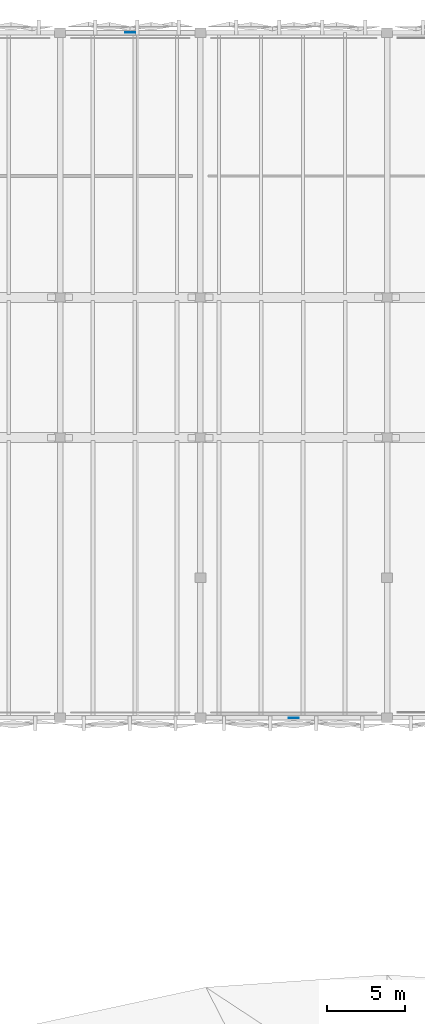
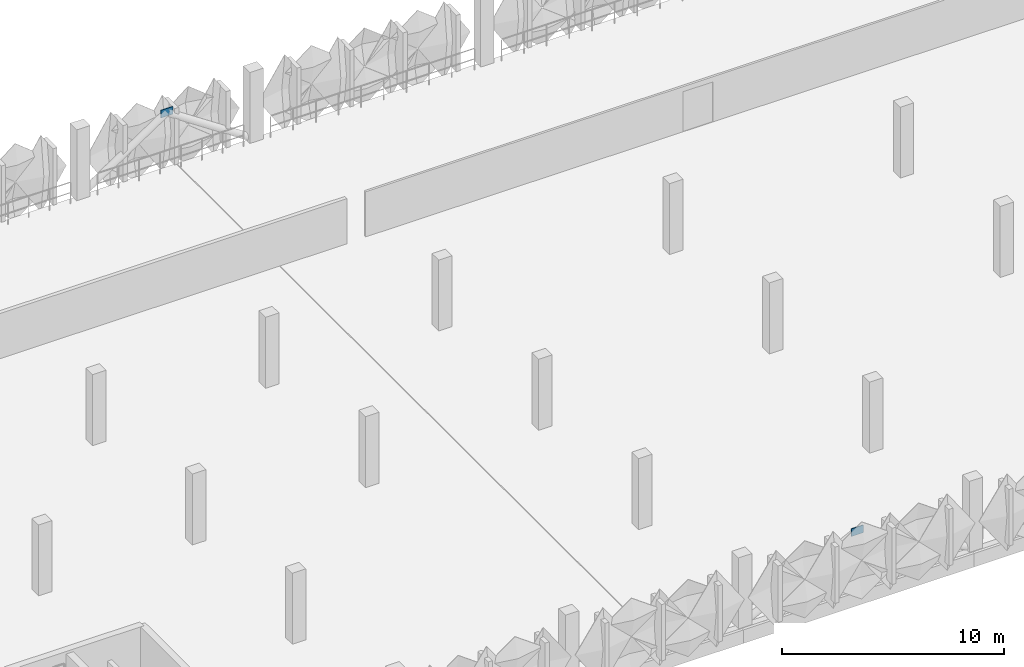
# One storey, part 25 of 52: 2 plates.
"""IFC4 building model written with IfcOpenShell, lengths in metres."""

import ifcopenshell
import ifcopenshell.guid

model = None  # the IFC model being written
_history = None  # IfcOwnerHistory: only IFC2X3 demands one
_inside = {}  # id of a spatial element -> (the spatial element, [elements in it])
_under = {}  # id of a project, library or spatial element -> (it, [spatial elements below it])
_declared = {}  # id of a project -> (the project, [libraries it declares])
_typed = {}  # id of a type object -> (the type object, [elements of that type])
_made_of = {}  # id of a material, layer set ... -> (it, [elements and type objects made of it])


def new_model(schema):
    """Start an empty IFC model of exactly this schema.

    Asked for "IFC4X3", IfcOpenShell would pick the latest addendum, in which some entities
    have other attributes; the version numbers below select the first issue.
    IFC2X3 requires an IfcOwnerHistory on every rooted entity: one is made here for all.
    """
    global model, _history
    if schema == "IFC4X3":
        model = ifcopenshell.file(schema_version=(4, 3, 0, 0))
    else:
        model = ifcopenshell.file(schema=schema)
    _inside.clear()
    _under.clear()
    _declared.clear()
    _typed.clear()
    _made_of.clear()
    _history = None
    if model.schema == "IFC2X3":
        org = make("IfcOrganization", Name="unknown")
        user = make(
            "IfcPersonAndOrganization",
            ThePerson=make("IfcPerson", FamilyName="unknown"),
            TheOrganization=org,
        )
        app = make(
            "IfcApplication",
            ApplicationDeveloper=org,
            Version="unknown",
            ApplicationFullName="unknown",
            ApplicationIdentifier="unknown",
        )
        _history = make(
            "IfcOwnerHistory",
            OwningUser=user,
            OwningApplication=app,
            ChangeAction="ADDED",
            CreationDate=0,
        )
    return model


def make(cls, **values):
    """One entity of the class cls with the attributes given. An attribute that is None is left unset."""
    return model.create_entity(
        cls, **{name: value for name, value in values.items() if value is not None}
    )


def rooted(cls, **values):
    """An entity with a GlobalId (a new one), such as an element, a storey or a relation."""
    return make(cls, GlobalId=ifcopenshell.guid.new(), OwnerHistory=_history, **values)


def si_unit(unit_type, name, prefix=None):
    """IfcSIUnit, for example si_unit("LENGTHUNIT", "METRE", prefix="MILLI")."""
    return make("IfcSIUnit", UnitType=unit_type, Prefix=prefix, Name=name)


def derived_unit(unit_type, elements):
    """IfcDerivedUnit: a product of units, each with its exponent."""
    return make(
        "IfcDerivedUnit",
        Elements=[
            make("IfcDerivedUnitElement", Unit=unit, Exponent=power)
            for unit, power in elements
        ],
        UnitType=unit_type,
    )


def assignment(units):
    """IfcUnitAssignment: the units of a project."""
    return None if units is None else make("IfcUnitAssignment", Units=units)


def point(xyz):
    """IfcCartesianPoint."""
    return None if xyz is None else make("IfcCartesianPoint", Coordinates=xyz)


def direction(xyz):
    """IfcDirection."""
    return None if xyz is None else make("IfcDirection", DirectionRatios=xyz)


def frame(location, z_axis=None, x_axis=None):
    """IfcAxis2Placement3D, a coordinate frame: its origin and axes. An axis left out is left unset."""
    return make(
        "IfcAxis2Placement3D",
        Location=point(location),
        Axis=direction(z_axis),
        RefDirection=direction(x_axis),
    )


def frame_2d(location, x_axis=None):
    """IfcAxis2Placement2D, a coordinate frame in the plane: its origin and x axis."""
    return make(
        "IfcAxis2Placement2D", Location=point(location), RefDirection=direction(x_axis)
    )


def origin():
    """The frame at (0, 0, 0) with its axes left unset."""
    return frame((0.0, 0.0, 0.0))


def origin_2d():
    """The frame at (0, 0) in the plane with its x axis left unset."""
    return frame_2d((0.0, 0.0))


def place(relative_to, where):
    """IfcLocalPlacement: puts the frame where relative to a parent placement (None: the world)."""
    return make(
        "IfcLocalPlacement", PlacementRelTo=relative_to, RelativePlacement=where
    )


def context(
    kind, dimensions, precision=None, world=None, true_north=None, identifier=None
):
    """IfcGeometricRepresentationContext, for example the 3D "Model" context."""
    return make(
        "IfcGeometricRepresentationContext",
        ContextIdentifier=identifier,
        ContextType=kind,
        CoordinateSpaceDimension=dimensions,
        Precision=precision,
        WorldCoordinateSystem=world,
        TrueNorth=true_north,
    )


def subcontext(parent, identifier, kind, view, scale=None):
    """IfcGeometricRepresentationSubContext, for example "Body" below "Model"."""
    return make(
        "IfcGeometricRepresentationSubContext",
        ContextIdentifier=identifier,
        ContextType=kind,
        ParentContext=parent,
        TargetScale=scale,
        TargetView=view,
    )


def project(units=None, contexts=None):
    """IfcProject with its units and contexts."""
    return rooted(
        "IfcProject",
        Name="project",
        RepresentationContexts=contexts,
        UnitsInContext=assignment(units),
    )


def spatial(cls, under=None, at=None, **own):
    """A site, building, storey or space (cls), placed at a placement, below another one or the project."""
    s = rooted(cls, ObjectPlacement=at, **own)
    if under is not None:
        _under.setdefault(under.id(), (under, []))[1].append(s)
    return s


def profile(cls, at=None, kind="AREA", **sizes):
    """A parametric profile (cls). Its sizes go by their IFC names, for example OverallWidth=200.0."""
    return make(cls, ProfileType=kind, Position=at, **sizes)


def rectangle(**sizes):
    """IfcRectangleProfileDef."""
    return profile("IfcRectangleProfileDef", **sizes)


def extrude(swept, where, along, depth):
    """IfcExtrudedAreaSolid: the profile swept, set in the frame where, extruded along a direction by depth."""
    return make(
        "IfcExtrudedAreaSolid",
        SweptArea=swept,
        Position=where,
        ExtrudedDirection=direction(along),
        Depth=depth,
    )


def shape(context_of_items, identifier, shape_type, items):
    """IfcShapeRepresentation: the items that make up one representation, for example the "Body"."""
    return make(
        "IfcShapeRepresentation",
        ContextOfItems=context_of_items,
        RepresentationIdentifier=identifier,
        RepresentationType=shape_type,
        Items=items,
    )


def material(Name=None, Category=None):
    """IfcMaterial."""
    return make("IfcMaterial", Name=Name, Category=Category)


def layer(
    of_material, thickness, ventilated=None, Name=None, Category=None, Priority=None
):
    """IfcMaterialLayer: one layer of a wall or slab, of a material (None: an air gap)."""
    return make(
        "IfcMaterialLayer",
        Material=of_material,
        LayerThickness=thickness,
        IsVentilated=ventilated,
        Name=Name,
        Category=Category,
        Priority=Priority,
    )


def layer_set(layers, Name=None):
    """IfcMaterialLayerSet."""
    return make("IfcMaterialLayerSet", MaterialLayers=layers, LayerSetName=Name)


def made_of(thing, what):
    """Note that an element or type object is made of a material, layer set ...; save() writes the relation."""
    if what is not None:
        _made_of.setdefault(what.id(), (what, []))[1].append(thing)
    return thing


def type_object(cls, material=None, **own):
    """A type object (cls), such as IfcWallType, which elements share."""
    return made_of(rooted(cls, **own), material)


def element(
    cls,
    number,
    at=None,
    inside=None,
    cuts=None,
    type_object=None,
    material=None,
    context=None,
    identifier="Body",
    shape_type=None,
    held_by="IfcProductDefinitionShape",
    body=None,
    shapes=None,
    **own,
):
    """One element of the class cls, such as IfcWall. Its Tag is "e" and its number.

    at: its placement. inside: the storey or other place that contains it. cuts: it is an
    opening in that element (IfcRelVoidsElement). A single representation is given by context,
    identifier, shape_type and body (its items); several are given by shapes. held_by: the class
    of the entity that holds the representations. save() writes the other relations.
    """
    e = rooted(cls, Tag="e%d" % number, ObjectPlacement=at, **own)
    if body is not None:
        shapes = [shape(context, identifier, shape_type, body)]
    if shapes is not None:
        e.Representation = make(held_by, Representations=shapes)
    if inside is not None:
        _inside.setdefault(inside.id(), (inside, []))[1].append(e)
    if cuts is not None:
        rooted(
            "IfcRelVoidsElement", RelatingBuildingElement=cuts, RelatedOpeningElement=e
        )
    if type_object is not None:
        _typed.setdefault(type_object.id(), (type_object, []))[1].append(e)
    return made_of(e, material)


def aggregate(whole, parts):
    """IfcRelAggregates: a whole, such as a stair, and the parts it consists of."""
    return rooted("IfcRelAggregates", RelatingObject=whole, RelatedObjects=parts)


def save(model, path):
    """Write the relations noted so far, then the file.

    IfcRelAggregates (storeys below a building ...), IfcRelContainedInSpatialStructure (elements
    in a storey), IfcRelDefinesByType, IfcRelAssociatesMaterial and IfcRelDeclares: one each for
    every whole, place, type object, material and project.
    """
    for whole, parts in _under.values():
        aggregate(whole, parts)
    for where, things in _inside.values():
        rooted(
            "IfcRelContainedInSpatialStructure",
            RelatedElements=things,
            RelatingStructure=where,
        )
    for kind, things in _typed.values():
        rooted("IfcRelDefinesByType", RelatedObjects=things, RelatingType=kind)
    for what, things in _made_of.values():
        rooted("IfcRelAssociatesMaterial", RelatedObjects=things, RelatingMaterial=what)
    for by, libraries in _declared.values():
        rooted("IfcRelDeclares", RelatingContext=by, RelatedDefinitions=libraries)
    model.write(path)


model = new_model("IFC4")

# Units and contexts
model_context = context("Model", 3, precision=1e-05, world=origin(), true_north=direction((0.0, 1.0)))
body_context = subcontext(model_context, "Body", "Model", "MODEL_VIEW")
ifc_project = project(units=[si_unit("LENGTHUNIT", "METRE"), si_unit("AREAUNIT", "SQUARE_METRE"), si_unit("VOLUMEUNIT", "CUBIC_METRE"), si_unit("PLANEANGLEUNIT", "RADIAN"), si_unit("MASSUNIT", "GRAM", prefix="KILO"), si_unit("THERMODYNAMICTEMPERATUREUNIT", "KELVIN"), derived_unit("THERMALTRANSMITTANCEUNIT", [(si_unit("POWERUNIT", "WATT"), 1), (si_unit("AREAUNIT", "SQUARE_METRE"), -1), (si_unit("THERMODYNAMICTEMPERATUREUNIT", "KELVIN"), -1)])], contexts=[model_context])

# Site, building, storey
site_placement = place(None, origin())
site = spatial("IfcSite", under=ifc_project, at=site_placement, CompositionType="ELEMENT")
building_placement = place(site_placement, origin())
building = spatial("IfcBuilding", under=site, at=building_placement, Name="Haiyu Intermodal Mobility Hub", CompositionType="ELEMENT")
storey_placement = place(building_placement, frame((0.0, 0.0, 21.199951171875)))
storey = spatial("IfcBuildingStorey", under=building, at=storey_placement, Name="L05", CompositionType="ELEMENT", Elevation=21.199951171875)

# Plates
ifc_material = material(Name="Steel Q355C", Category="steel")
ifc_layer = layer(ifc_material, 0.033935546875)
ifc_layer_set = layer_set([ifc_layer], Name="Steel Q355C")
plate_type = type_object("IfcPlateType", Name="PLT-GP04", PredefinedType="USERDEFINED", material=ifc_layer_set)
for number, where, z_axis, x_axis, name in (
    (1, (91.5, 148.0, 2.7900390625), (0.0, 0.0, 1.0), (1.0, 0.0, 0.0), "Chevron Brace Apex Gusset GP-B090"),
    (2, (102.0, 104.0, 2.7900390625), (0.0, 0.0, 1.0), (1.0, 0.0, 0.0), "Chevron Brace Apex Gusset GP-B103"),
):
    element("IfcPlate", number, at=place(storey_placement, frame(where, z_axis=z_axis, x_axis=x_axis)), inside=storey, type_object=plate_type, Name=name, ObjectType="GUSSET PLATE", PredefinedType="USERDEFINED", context=body_context, shape_type="SweptSolid", body=[
        extrude(rectangle(XDim=0.6201171875, YDim=0.033935546875, at=origin_2d()), origin(), (0.0, 0.0, 1.0), 0.419921875),
    ])

save(model, "model.ifc")
